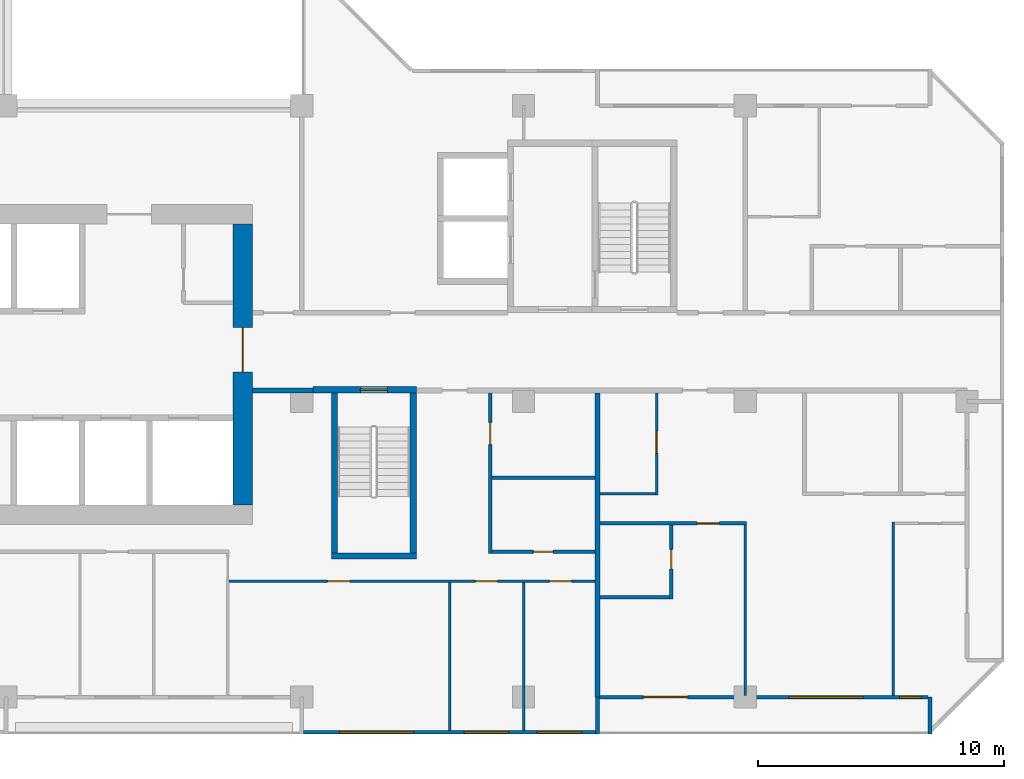
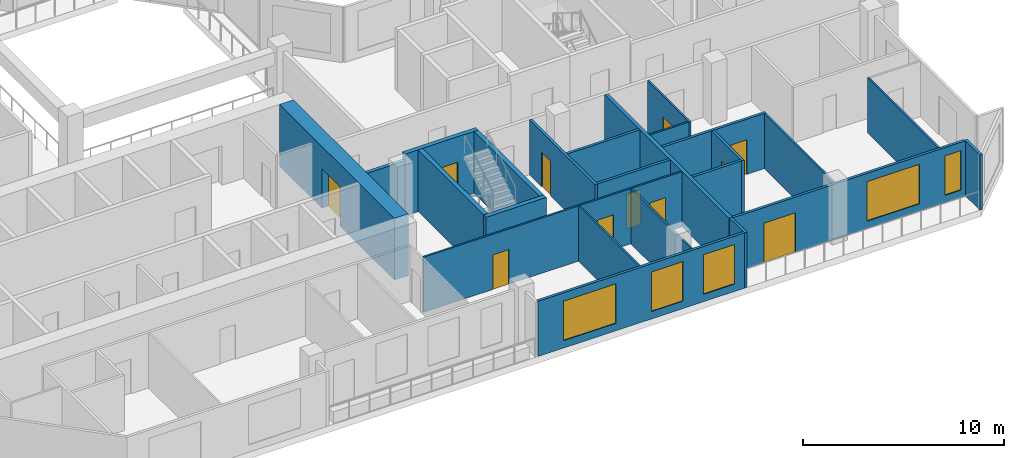
# One storey, part 6 of 15: 24 walls, 11 doors, 5 windows, 16 openings.
"""IFC4 building model written with IfcOpenShell, lengths in metres."""

from ifc_helpers import new_model, si_unit, direction, frame, frame_2d, origin, place, context, subcontext, project, spatial, rectangle, extrude, material, layer, layer_set, type_object, element, fill, save


model = new_model("IFC4")

# Units and contexts
model_context = context("Model", 3, precision=1e-05, world=origin(), true_north=direction((0.0, 1.0)))
body_context = subcontext(model_context, "Body", "Model", "MODEL_VIEW")
ifc_project = project(units=[si_unit("LENGTHUNIT", "METRE"), si_unit("AREAUNIT", "SQUARE_METRE"), si_unit("VOLUMEUNIT", "CUBIC_METRE"), si_unit("PLANEANGLEUNIT", "RADIAN"), si_unit("MASSUNIT", "GRAM", prefix="KILO")], contexts=[model_context])

# Site, building, storey
site_placement = place(None, origin())
site = spatial("IfcSite", under=ifc_project, at=site_placement, CompositionType="ELEMENT")
building_placement = place(site_placement, origin())
building = spatial("IfcBuilding", under=site, at=building_placement, Name="Chenar Terraces", CompositionType="ELEMENT")
storey_placement = place(building_placement, frame((0.0, 0.0, 191.14990234375)))
storey = spatial("IfcBuildingStorey", under=building, at=storey_placement, Name="L44", CompositionType="ELEMENT", Elevation=191.14990234375)

# Wall
ifc_material_1 = material(Name="Concrete C60/75", Category="concrete")
ifc_layer_1 = layer(ifc_material_1, 0.25)
ifc_layer_set_1 = layer_set([ifc_layer_1], Name="Concrete C60/75")
wall_type_1 = type_object("IfcWallType", Name="Core wall 250 Concrete C60/75", PredefinedType="SHEAR", material=ifc_layer_set_1)
wall_1_placement = place(storey_placement, frame((37.199951171875, 5.72509765625, 0.0), z_axis=(0.0, 0.0, 1.0), x_axis=(1.0, 0.0, 0.0)))
element("IfcWall", 1, at=wall_1_placement, inside=storey, type_object=wall_type_1, Name="Core wall ST2_S L44", PredefinedType="SHEAR", context=body_context, shape_type="SweptSolid", body=[
    extrude(rectangle(XDim=3.449951171875, YDim=0.25, at=frame_2d((1.72509765625, 0.0))), origin(), (0.0, 0.0, 1.0), 3.75),
])

# Wall, opening, door
wall_2_placement = place(storey_placement, frame((36.449951171875, 12.47509765625, 0.0), z_axis=(0.0, 0.0, 1.0), x_axis=(1.0, 0.0, 0.0)))
wall_2 = element("IfcWall", 2, at=wall_2_placement, inside=storey, type_object=wall_type_1, Name="Core wall ST2_N L44", PredefinedType="SHEAR", context=body_context, shape_type="SweptSolid", body=[
    extrude(rectangle(XDim=4.199951171875, YDim=0.25, at=frame_2d((2.10009765625, 0.0))), origin(), (0.0, 0.0, 1.0), 3.75),
])
opening_1_placement = place(wall_2_placement, frame((1.925048828125, 0.0, 0.0)))
opening_1 = element("IfcOpeningElement", 3, at=opening_1_placement, cuts=wall_2, Name="Opening DL44-C7", PredefinedType="OPENING", context=body_context, shape_type="SweptSolid", body=[
    extrude(rectangle(XDim=1.10009765625, YDim=2.199951171875, at=frame_2d((0.550048828125, 1.10009765625))), frame((0.0, 0.135009765625, 0.0), z_axis=(0.0, -1.0, 0.0), x_axis=(1.0, 0.0, 0.0)), (0.0, 0.0, 1.0), 0.27001953125),
])
ifc_material_2 = material(Name="Steel-framed fire-resisting door leaf", Category="steel")
door_type_1 = type_object("IfcDoorType", Name="Stair fire door FD60 1100 x 2200", OperationType="SINGLE_SWING_LEFT", PredefinedType="DOOR", material=ifc_material_2)
door_1_placement = place(opening_1_placement, frame((1.10009765625, 0.0, 0.0), z_axis=(0.0, 0.0, 1.0), x_axis=(-1.0, 0.0, 0.0)))
door_1 = element("IfcDoor", 4, at=door_1_placement, inside=storey, type_object=door_type_1, Name="Stair door DL44-C7", OperationType="SINGLE_SWING_RIGHT", OverallHeight=2.199951171875, OverallWidth=1.10009765625, PredefinedType="DOOR", context=body_context, shape_type="SweptSolid", body=[
    extrude(rectangle(XDim=1.10009765625, YDim=2.199951171875, at=frame_2d((0.550048828125, 1.10009765625))), frame((0.0, 0.02490234375, 0.0), z_axis=(0.0, -1.0, 0.0), x_axis=(1.0, 0.0, 0.0)), (0.0, 0.0, 1.0), 0.050048828125),
])
fill(opening_1, door_1)

# Walls
for number, where, z_axis, x_axis, name in (
    (5, (37.324951171875, 5.85009765625, 0.0), (0.0, 0.0, 1.0), (0.0, 1.0, 0.0), "Core wall ST2_W L44"),
    (6, (40.52490234375, 5.85009765625, 0.0), (0.0, 0.0, 1.0), (0.0, 1.0, 0.0), "Core wall ST2_E L44"),
):
    element("IfcWall", number, at=place(storey_placement, frame(where, z_axis=z_axis, x_axis=x_axis)), inside=storey, type_object=wall_type_1, Name=name, PredefinedType="SHEAR", context=body_context, shape_type="SweptSolid", body=[
        extrude(rectangle(XDim=6.5, YDim=0.25, at=frame_2d((3.25, 0.0))), origin(), (0.0, 0.0, 1.0), 3.75),
    ])

# Wall, opening, door
ifc_material_3 = material(Name="Concrete C60/75", Category="concrete")
ifc_layer_2 = layer(ifc_material_3, 0.800048828125)
ifc_layer_set_2 = layer_set([ifc_layer_2], Name="Concrete C60/75")
wall_type_2 = type_object("IfcWallType", Name="Core wall 800 Concrete C60/75", PredefinedType="SHEAR", material=ifc_layer_set_2)
wall_3_placement = place(storey_placement, frame((33.60009765625, 7.800048828125, 0.0), z_axis=(0.0, 0.0, 1.0), x_axis=(0.0, 1.0, 0.0)))
wall_3 = element("IfcWall", 7, at=wall_3_placement, inside=storey, type_object=wall_type_2, Name="Core wall E L44", PredefinedType="SHEAR", context=body_context, shape_type="SweptSolid", body=[
    extrude(rectangle(XDim=11.39990234375, YDim=0.800048828125, at=frame_2d((5.699951171875, 0.0))), origin(), (0.0, 0.0, 1.0), 3.75),
])
opening_2_placement = place(wall_3_placement, frame((5.39990234375, 0.0, 0.0)))
opening_2 = element("IfcOpeningElement", 8, at=opening_2_placement, cuts=wall_3, Name="Opening DL44-C1", PredefinedType="OPENING", context=body_context, shape_type="SweptSolid", body=[
    extrude(rectangle(XDim=1.800048828125, YDim=2.39990234375, at=frame_2d((0.89990234375, 1.199951171875))), frame((0.0, 0.409912109375, 0.0), z_axis=(0.0, -1.0, 0.0), x_axis=(1.0, 0.0, 0.0)), (0.0, 0.0, 1.0), 0.820068359375),
])
ifc_material_4 = material(Name="Steel-framed fire-resisting door leaf", Category="steel")
door_type_2 = type_object("IfcDoorType", Name="Core entrance double fire door FD60 1800 x 2400", OperationType="DOUBLE_DOOR_SINGLE_SWING", PredefinedType="DOOR", material=ifc_material_4)
door_2_placement = place(opening_2_placement, origin())
door_2 = element("IfcDoor", 9, at=door_2_placement, inside=storey, type_object=door_type_2, Name="Core door DL44-C1", OperationType="DOUBLE_DOOR_SINGLE_SWING", OverallHeight=2.39990234375, OverallWidth=1.800048828125, PredefinedType="DOOR", context=body_context, shape_type="SweptSolid", body=[
    extrude(rectangle(XDim=1.800048828125, YDim=2.39990234375, at=frame_2d((0.89990234375, 1.199951171875))), frame((0.0, 0.02490234375, 0.0), z_axis=(0.0, -1.0, 0.0), x_axis=(1.0, 0.0, 0.0)), (0.0, 0.0, 1.0), 0.050048828125),
])
fill(opening_2, door_2)

# Wall
ifc_material_5 = material(Name="Gypsum board on steel studs with fire boards", Category="steel")
ifc_layer_3 = layer(ifc_material_5, 0.199951171875)
ifc_layer_set_3 = layer_set([ifc_layer_3], Name="Gypsum board on steel studs with fire boards")
wall_type_3 = type_object("IfcWallType", Name="Corridor wall 200", PredefinedType="PARTITIONING", material=ifc_layer_set_3)
wall_4_placement = place(storey_placement, frame((34.0, 12.449951171875, 0.0), z_axis=(0.0, 0.0, 1.0), x_axis=(1.0, 0.0, 0.0)))
element("IfcWall", 10, at=wall_4_placement, inside=storey, type_object=wall_type_3, Name="Partition L44-059", PredefinedType="PARTITIONING", context=body_context, shape_type="SweptSolid", body=[
    extrude(rectangle(XDim=2.450927734375, YDim=0.199951171875, at=frame_2d((1.2255859375, 0.0))), origin(), (0.0, 0.0, 1.0), 3.35009765625),
])

# Wall, openings, windows
ifc_material_6 = material(Name="Aluminium framed glazing", Category="aluminium")
ifc_layer_4 = layer(ifc_material_6, 0.14990234375)
ifc_layer_set_4 = layer_set([ifc_layer_4], Name="Aluminium framed glazing")
wall_type_4 = type_object("IfcWallType", Name="Glazed flush facade wall 150", PredefinedType="SOLIDWALL", material=ifc_layer_set_4)
wall_5_placement = place(storey_placement, frame((36.074951171875, -1.425048828125, 0.0), z_axis=(0.0, 0.0, 1.0), x_axis=(1.0, 0.0, 0.0)))
wall_5 = element("IfcWall", 11, at=wall_5_placement, inside=storey, type_object=wall_type_4, Name="Glazed flush facade wall", PredefinedType="SOLIDWALL", context=body_context, shape_type="SweptSolid", body=[
    extrude(rectangle(XDim=11.85009765625, YDim=0.14990234375, at=frame_2d((5.925048828125, 0.0))), origin(), (0.0, 0.0, 1.0), 3.35009765625),
])
opening_3_placement = place(wall_5_placement, frame((1.46240234375, 0.0, 0.449951171875)))
opening_3 = element("IfcOpeningElement", 12, at=opening_3_placement, cuts=wall_5, Name="Opening W300x240", PredefinedType="OPENING", context=body_context, shape_type="SweptSolid", body=[
    extrude(rectangle(XDim=3.0, YDim=2.39990234375, at=frame_2d((1.5, 1.199951171875))), frame((0.0, 0.0849609375, 0.0), z_axis=(0.0, -1.0, 0.0), x_axis=(1.0, 0.0, 0.0)), (0.0, 0.0, 1.0), 0.169921875),
])
opening_4_placement = place(wall_5_placement, frame((6.52490234375, 0.0, 0.449951171875)))
opening_4 = element("IfcOpeningElement", 13, at=opening_4_placement, cuts=wall_5, Name="Opening W180x240", PredefinedType="OPENING", context=body_context, shape_type="SweptSolid", body=[
    extrude(rectangle(XDim=1.800048828125, YDim=2.39990234375, at=frame_2d((0.89990234375, 1.199951171875))), frame((0.0, 0.0849609375, 0.0), z_axis=(0.0, -1.0, 0.0), x_axis=(1.0, 0.0, 0.0)), (0.0, 0.0, 1.0), 0.169921875),
])
opening_5_placement = place(wall_5_placement, frame((9.487548828125, 0.0, 0.449951171875)))
opening_5 = element("IfcOpeningElement", 14, at=opening_5_placement, cuts=wall_5, Name="Opening W180x240", PredefinedType="OPENING", context=body_context, shape_type="SweptSolid", body=[
    extrude(rectangle(XDim=1.800048828125, YDim=2.39990234375, at=frame_2d((0.89990234375, 1.199951171875))), frame((0.0, 0.0849609375, 0.0), z_axis=(0.0, -1.0, 0.0), x_axis=(1.0, 0.0, 0.0)), (0.0, 0.0, 1.0), 0.169921875),
])
ifc_material_7 = material(Name="Low emissivity double glazing, aluminium frame", Category="aluminium")
window_type_1 = type_object("IfcWindowType", Name="Fixed light 1800 x 2400", PartitioningType="SINGLE_PANEL", PredefinedType="WINDOW", material=ifc_material_7)
window_1_placement = place(opening_4_placement, origin())
window_1 = element("IfcWindow", 15, at=window_1_placement, inside=storey, type_object=window_type_1, Name="Window", OverallHeight=2.39990234375, OverallWidth=1.800048828125, PartitioningType="SINGLE_PANEL", PredefinedType="WINDOW", context=body_context, shape_type="SweptSolid", body=[
    extrude(rectangle(XDim=1.800048828125, YDim=2.39990234375, at=frame_2d((0.89990234375, 1.199951171875))), frame((0.0, 0.030029296875, 0.0), z_axis=(0.0, -1.0, 0.0), x_axis=(1.0, 0.0, 0.0)), (0.0, 0.0, 1.0), 0.06005859375),
])
fill(opening_4, window_1)
window_2_placement = place(opening_5_placement, origin())
window_2 = element("IfcWindow", 16, at=window_2_placement, inside=storey, type_object=window_type_1, Name="Window", OverallHeight=2.39990234375, OverallWidth=1.800048828125, PartitioningType="SINGLE_PANEL", PredefinedType="WINDOW", context=body_context, shape_type="SweptSolid", body=[
    extrude(rectangle(XDim=1.800048828125, YDim=2.39990234375, at=frame_2d((0.89990234375, 1.199951171875))), frame((0.0, 0.030029296875, 0.0), z_axis=(0.0, -1.0, 0.0), x_axis=(1.0, 0.0, 0.0)), (0.0, 0.0, 1.0), 0.06005859375),
])
fill(opening_5, window_2)
ifc_material_8 = material(Name="Low emissivity double glazing, aluminium frame", Category="aluminium")
window_type_2 = type_object("IfcWindowType", Name="Fixed light 3000 x 2400", PartitioningType="SINGLE_PANEL", PredefinedType="WINDOW", material=ifc_material_8)
window_3_placement = place(opening_3_placement, origin())
window_3 = element("IfcWindow", 17, at=window_3_placement, inside=storey, type_object=window_type_2, Name="Window", OverallHeight=2.39990234375, OverallWidth=3.0, PartitioningType="SINGLE_PANEL", PredefinedType="WINDOW", context=body_context, shape_type="SweptSolid", body=[
    extrude(rectangle(XDim=3.0, YDim=2.39990234375, at=frame_2d((1.5, 1.199951171875))), frame((0.0, 0.030029296875, 0.0), z_axis=(0.0, -1.0, 0.0), x_axis=(1.0, 0.0, 0.0)), (0.0, 0.0, 1.0), 0.06005859375),
])
fill(opening_3, window_3)

# Wall, openings, windows, door
ifc_material_9 = material(Name="Aluminium framed glazing", Category="aluminium")
ifc_layer_5 = layer(ifc_material_9, 0.14990234375)
ifc_layer_set_5 = layer_set([ifc_layer_5], Name="Aluminium framed glazing")
wall_type_5 = type_object("IfcWallType", Name="Glazed loggia back wall 150", PredefinedType="SOLIDWALL", material=ifc_layer_set_5)
wall_6_placement = place(storey_placement, frame((48.074951171875, 0.0, 0.0), z_axis=(0.0, 0.0, 1.0), x_axis=(1.0, 0.0, 0.0)))
wall_6 = element("IfcWall", 18, at=wall_6_placement, inside=storey, type_object=wall_type_5, Name="Glazed loggia back wall", PredefinedType="SOLIDWALL", context=body_context, shape_type="SweptSolid", body=[
    extrude(rectangle(XDim=13.35009765625, YDim=0.14990234375, at=frame_2d((6.675048828125, 0.0))), origin(), (0.0, 0.0, 1.0), 3.35009765625),
])
opening_6_placement = place(wall_6_placement, frame((1.78759765625, 0.0, 0.0)))
opening_6 = element("IfcOpeningElement", 19, at=opening_6_placement, cuts=wall_6, Name="Opening DL44-G7", PredefinedType="OPENING", context=body_context, shape_type="SweptSolid", body=[
    extrude(rectangle(XDim=1.800048828125, YDim=2.39990234375, at=frame_2d((0.89990234375, 1.199951171875))), frame((0.0, 0.0849609375, 0.0), z_axis=(0.0, -1.0, 0.0), x_axis=(1.0, 0.0, 0.0)), (0.0, 0.0, 1.0), 0.169921875),
])
opening_7_placement = place(wall_6_placement, frame((7.699951171875, 0.0, 0.449951171875)))
opening_7 = element("IfcOpeningElement", 20, at=opening_7_placement, cuts=wall_6, Name="Opening W300x240", PredefinedType="OPENING", context=body_context, shape_type="SweptSolid", body=[
    extrude(rectangle(XDim=3.0, YDim=2.39990234375, at=frame_2d((1.5, 1.199951171875))), frame((0.0, 0.0849609375, 0.0), z_axis=(0.0, -1.0, 0.0), x_axis=(1.0, 0.0, 0.0)), (0.0, 0.0, 1.0), 0.169921875),
])
opening_8_placement = place(wall_6_placement, frame((12.1875, 0.0, 0.449951171875)))
opening_8 = element("IfcOpeningElement", 21, at=opening_8_placement, cuts=wall_6, Name="Opening W90x240", PredefinedType="OPENING", context=body_context, shape_type="SweptSolid", body=[
    extrude(rectangle(XDim=0.89990234375, YDim=2.39990234375, at=frame_2d((0.449951171875, 1.199951171875))), frame((0.0, 0.0849609375, 0.0), z_axis=(0.0, -1.0, 0.0), x_axis=(1.0, 0.0, 0.0)), (0.0, 0.0, 1.0), 0.169921875),
])
window_4_placement = place(opening_7_placement, origin())
window_4 = element("IfcWindow", 22, at=window_4_placement, inside=storey, type_object=window_type_2, Name="Window", OverallHeight=2.39990234375, OverallWidth=3.0, PartitioningType="SINGLE_PANEL", PredefinedType="WINDOW", context=body_context, shape_type="SweptSolid", body=[
    extrude(rectangle(XDim=3.0, YDim=2.39990234375, at=frame_2d((1.5, 1.199951171875))), frame((0.0, 0.030029296875, 0.0), z_axis=(0.0, -1.0, 0.0), x_axis=(1.0, 0.0, 0.0)), (0.0, 0.0, 1.0), 0.06005859375),
])
fill(opening_7, window_4)
ifc_material_10 = material(Name="Low emissivity double glazing, aluminium frame", Category="aluminium")
window_type_3 = type_object("IfcWindowType", Name="Fixed light 900 x 2400", PartitioningType="SINGLE_PANEL", PredefinedType="WINDOW", material=ifc_material_10)
window_5_placement = place(opening_8_placement, origin())
window_5 = element("IfcWindow", 23, at=window_5_placement, inside=storey, type_object=window_type_3, Name="Window", OverallHeight=2.39990234375, OverallWidth=0.89990234375, PartitioningType="SINGLE_PANEL", PredefinedType="WINDOW", context=body_context, shape_type="SweptSolid", body=[
    extrude(rectangle(XDim=0.89990234375, YDim=2.39990234375, at=frame_2d((0.449951171875, 1.199951171875))), frame((0.0, 0.030029296875, 0.0), z_axis=(0.0, -1.0, 0.0), x_axis=(1.0, 0.0, 0.0)), (0.0, 0.0, 1.0), 0.06005859375),
])
fill(opening_8, window_5)
ifc_material_11 = material(Name="Low emissivity double glazing, aluminium frame", Category="aluminium")
door_type_3 = type_object("IfcDoorType", Name="Loggia glazed double door 1800 x 2400", OperationType="DOUBLE_DOOR_SINGLE_SWING", PredefinedType="DOOR", material=ifc_material_11)
door_3_placement = place(opening_6_placement, frame((1.800048828125, 0.0, 0.0), z_axis=(0.0, 0.0, 1.0), x_axis=(-1.0, 0.0, 0.0)))
door_3 = element("IfcDoor", 24, at=door_3_placement, inside=storey, type_object=door_type_3, Name="Loggia glazed door", OperationType="DOUBLE_DOOR_SINGLE_SWING", OverallHeight=2.39990234375, OverallWidth=1.800048828125, PredefinedType="DOOR", context=body_context, shape_type="SweptSolid", body=[
    extrude(rectangle(XDim=1.800048828125, YDim=2.39990234375, at=frame_2d((0.89990234375, 1.199951171875))), frame((0.0, 0.02490234375, 0.0), z_axis=(0.0, -1.0, 0.0), x_axis=(1.0, 0.0, 0.0)), (0.0, 0.0, 1.0), 0.050048828125),
])
fill(opening_6, door_3)

# Wall, openings, doors
ifc_material_12 = material(Name="Gypsum board on steel studs", Category="steel")
ifc_layer_6 = layer(ifc_material_12, 0.10009765625)
ifc_layer_set_6 = layer_set([ifc_layer_6], Name="Gypsum board on steel studs")
wall_type_6 = type_object("IfcWallType", Name="Gypsum partition 100", PredefinedType="PARTITIONING", material=ifc_layer_set_6)
wall_7_placement = place(storey_placement, frame((33.050048828125, 4.699951171875, 0.0), z_axis=(0.0, 0.0, 1.0), x_axis=(1.0, 0.0, 0.0)))
wall_7 = element("IfcWall", 25, at=wall_7_placement, inside=storey, type_object=wall_type_6, Name="Partition L44-058", PredefinedType="PARTITIONING", context=body_context, shape_type="SweptSolid", body=[
    extrude(rectangle(XDim=14.849853515625, YDim=0.10009765625, at=frame_2d((7.4248046875, 0.0))), origin(), (0.0, 0.0, 1.0), 3.35009765625),
])
opening_9_placement = place(wall_7_placement, frame((10.0, 0.0, 0.0)))
opening_9 = element("IfcOpeningElement", 26, at=opening_9_placement, cuts=wall_7, Name="Opening DL44-47", PredefinedType="OPENING", context=body_context, shape_type="SweptSolid", body=[
    extrude(rectangle(XDim=0.89990234375, YDim=2.10009765625, at=frame_2d((0.449951171875, 1.050048828125))), frame((0.0, 0.06005859375, 0.0), z_axis=(0.0, -1.0, 0.0), x_axis=(1.0, 0.0, 0.0)), (0.0, 0.0, 1.0), 0.1201171875),
])
opening_10_placement = place(wall_7_placement, frame((13.0, 0.0, 0.0)))
opening_10 = element("IfcOpeningElement", 27, at=opening_10_placement, cuts=wall_7, Name="Opening DL44-48", PredefinedType="OPENING", context=body_context, shape_type="SweptSolid", body=[
    extrude(rectangle(XDim=0.89990234375, YDim=2.10009765625, at=frame_2d((0.449951171875, 1.050048828125))), frame((0.0, 0.06005859375, 0.0), z_axis=(0.0, -1.0, 0.0), x_axis=(1.0, 0.0, 0.0)), (0.0, 0.0, 1.0), 0.1201171875),
])
opening_11_placement = place(wall_7_placement, frame((4.0, 0.0, 0.0)))
opening_11 = element("IfcOpeningElement", 28, at=opening_11_placement, cuts=wall_7, Name="Opening DL44-56", PredefinedType="OPENING", context=body_context, shape_type="SweptSolid", body=[
    extrude(rectangle(XDim=0.89990234375, YDim=2.10009765625, at=frame_2d((0.449951171875, 1.050048828125))), frame((0.0, 0.06005859375, 0.0), z_axis=(0.0, -1.0, 0.0), x_axis=(1.0, 0.0, 0.0)), (0.0, 0.0, 1.0), 0.1201171875),
])
ifc_material_13 = material(Name="Veneered timber door leaf", Category="wood")
door_type_4 = type_object("IfcDoorType", Name="Door 900 x 2100", OperationType="SINGLE_SWING_LEFT", PredefinedType="DOOR", material=ifc_material_13)
door_4_placement = place(opening_9_placement, frame((0.89990234375, 0.0, 0.0), z_axis=(0.0, 0.0, 1.0), x_axis=(-1.0, 0.0, 0.0)))
door_4 = element("IfcDoor", 29, at=door_4_placement, inside=storey, type_object=door_type_4, Name="Door DL44-47", OperationType="SINGLE_SWING_LEFT", OverallHeight=2.10009765625, OverallWidth=0.89990234375, PredefinedType="DOOR", context=body_context, shape_type="SweptSolid", body=[
    extrude(rectangle(XDim=0.89990234375, YDim=2.10009765625, at=frame_2d((0.449951171875, 1.050048828125))), frame((0.0, 0.02490234375, 0.0), z_axis=(0.0, -1.0, 0.0), x_axis=(1.0, 0.0, 0.0)), (0.0, 0.0, 1.0), 0.050048828125),
])
fill(opening_9, door_4)
door_5_placement = place(opening_10_placement, frame((0.89990234375, 0.0, 0.0), z_axis=(0.0, 0.0, 1.0), x_axis=(-1.0, 0.0, 0.0)))
door_5 = element("IfcDoor", 30, at=door_5_placement, inside=storey, type_object=door_type_4, Name="Door DL44-48", OperationType="SINGLE_SWING_LEFT", OverallHeight=2.10009765625, OverallWidth=0.89990234375, PredefinedType="DOOR", context=body_context, shape_type="SweptSolid", body=[
    extrude(rectangle(XDim=0.89990234375, YDim=2.10009765625, at=frame_2d((0.449951171875, 1.050048828125))), frame((0.0, 0.02490234375, 0.0), z_axis=(0.0, -1.0, 0.0), x_axis=(1.0, 0.0, 0.0)), (0.0, 0.0, 1.0), 0.050048828125),
])
fill(opening_10, door_5)
door_6_placement = place(opening_11_placement, frame((0.89990234375, 0.0, 0.0), z_axis=(0.0, 0.0, 1.0), x_axis=(-1.0, 0.0, 0.0)))
door_6 = element("IfcDoor", 31, at=door_6_placement, inside=storey, type_object=door_type_4, Name="Door DL44-56", OperationType="SINGLE_SWING_LEFT", OverallHeight=2.10009765625, OverallWidth=0.89990234375, PredefinedType="DOOR", context=body_context, shape_type="SweptSolid", body=[
    extrude(rectangle(XDim=0.89990234375, YDim=2.10009765625, at=frame_2d((0.449951171875, 1.050048828125))), frame((0.0, 0.02490234375, 0.0), z_axis=(0.0, -1.0, 0.0), x_axis=(1.0, 0.0, 0.0)), (0.0, 0.0, 1.0), 0.050048828125),
])
fill(opening_11, door_6)

# Walls
wall_8_placement = place(storey_placement, frame((42.0, -1.35009765625, 0.0), z_axis=(0.0, 0.0, 1.0), x_axis=(0.0, 1.0, 0.0)))
element("IfcWall", 32, at=wall_8_placement, inside=storey, type_object=wall_type_6, Name="Partition L44-063", PredefinedType="PARTITIONING", context=body_context, shape_type="SweptSolid", body=[
    extrude(rectangle(XDim=6.0, YDim=0.10009765625, at=frame_2d((3.0, 0.0))), origin(), (0.0, 0.0, 1.0), 3.35009765625),
])
wall_9_placement = place(storey_placement, frame((45.0, -1.35107421875, 0.0), z_axis=(0.0, 0.0, 1.0), x_axis=(0.0, 1.0, 0.0)))
element("IfcWall", 33, at=wall_9_placement, inside=storey, type_object=wall_type_6, Name="Partition L44-067", PredefinedType="PARTITIONING", context=body_context, shape_type="SweptSolid", body=[
    extrude(rectangle(XDim=6.0009765625, YDim=0.10009765625, at=frame_2d((3.00048828125, 0.0))), origin(), (0.0, 0.0, 1.0), 3.35009765625),
])
wall_10_placement = place(storey_placement, frame((48.10009765625, 8.25, 0.0), z_axis=(0.0, 0.0, 1.0), x_axis=(1.0, 0.0, 0.0)))
element("IfcWall", 34, at=wall_10_placement, inside=storey, type_object=wall_type_6, Name="Partition L44-072", PredefinedType="PARTITIONING", context=body_context, shape_type="SweptSolid", body=[
    extrude(rectangle(XDim=2.25, YDim=0.10009765625, at=frame_2d((1.125, 0.0))), origin(), (0.0, 0.0, 1.0), 3.35009765625),
])

# Wall, opening, door
wall_11_placement = place(storey_placement, frame((50.39990234375, 8.199951171875, 0.0), z_axis=(0.0, 0.0, 1.0), x_axis=(0.0, 1.0, 0.0)))
wall_11 = element("IfcWall", 35, at=wall_11_placement, inside=storey, type_object=wall_type_6, Name="Partition L44-073", PredefinedType="PARTITIONING", context=body_context, shape_type="SweptSolid", body=[
    extrude(rectangle(XDim=4.150146484375, YDim=0.10009765625, at=frame_2d((2.0751953125, 0.0))), origin(), (0.0, 0.0, 1.0), 3.35009765625),
])
opening_12_placement = place(wall_11_placement, frame((1.699951171875, 0.0, 0.0)))
opening_12 = element("IfcOpeningElement", 36, at=opening_12_placement, cuts=wall_11, Name="Opening DL44-12", PredefinedType="OPENING", context=body_context, shape_type="SweptSolid", body=[
    extrude(rectangle(XDim=0.89990234375, YDim=2.10009765625, at=frame_2d((0.449951171875, 1.050048828125))), frame((0.0, 0.06005859375, 0.0), z_axis=(0.0, -1.0, 0.0), x_axis=(1.0, 0.0, 0.0)), (0.0, 0.0, 1.0), 0.1201171875),
])
door_7_placement = place(opening_12_placement, origin())
door_7 = element("IfcDoor", 37, at=door_7_placement, inside=storey, type_object=door_type_4, Name="Door DL44-12", OperationType="SINGLE_SWING_LEFT", OverallHeight=2.10009765625, OverallWidth=0.89990234375, PredefinedType="DOOR", context=body_context, shape_type="SweptSolid", body=[
    extrude(rectangle(XDim=0.89990234375, YDim=2.10009765625, at=frame_2d((0.449951171875, 1.050048828125))), frame((0.0, 0.02490234375, 0.0), z_axis=(0.0, -1.0, 0.0), x_axis=(1.0, 0.0, 0.0)), (0.0, 0.0, 1.0), 0.050048828125),
])
fill(opening_12, door_7)

# Walls
wall_12_placement = place(storey_placement, frame((54.0, 0.073974609375, 0.0), z_axis=(0.0, 0.0, 1.0), x_axis=(0.0, 1.0, 0.0)))
element("IfcWall", 38, at=wall_12_placement, inside=storey, type_object=wall_type_6, Name="Partition L44-076", PredefinedType="PARTITIONING", context=body_context, shape_type="SweptSolid", body=[
    extrude(rectangle(XDim=6.901123046875, YDim=0.10009765625, at=frame_2d((3.45068359375, 0.0))), origin(), (0.0, 0.0, 1.0), 3.35009765625),
])
wall_13_placement = place(storey_placement, frame((60.0, 0.073974609375, 0.0), z_axis=(0.0, 0.0, 1.0), x_axis=(0.0, 1.0, 0.0)))
element("IfcWall", 39, at=wall_13_placement, inside=storey, type_object=wall_type_6, Name="Partition L44-084", PredefinedType="PARTITIONING", context=body_context, shape_type="SweptSolid", body=[
    extrude(rectangle(XDim=7.026123046875, YDim=0.10009765625, at=frame_2d((3.51318359375, 0.0))), origin(), (0.0, 0.0, 1.0), 3.35009765625),
])
ifc_material_14 = material(Name="Terracotta cladding on insulated backing", Category="masonry")
ifc_layer_7 = layer(ifc_material_14, 0.14990234375)
ifc_layer_set_7 = layer_set([ifc_layer_7], Name="Terracotta cladding on insulated backing")
wall_type_7 = type_object("IfcWallType", Name="Loggia return wall 150", PredefinedType="SOLIDWALL", material=ifc_layer_set_7)
for number, where, z_axis, x_axis, name in (
    (40, (48.0, -1.5, 0.0), (0.0, 0.0, 1.0), (0.0, 1.0, 0.0), "Loggia return wall"),
    (41, (61.5, -1.5, 0.0), (0.0, 0.0, 1.0), (0.0, 1.0, 0.0), "Loggia return wall"),
):
    element("IfcWall", number, at=place(storey_placement, frame(where, z_axis=z_axis, x_axis=x_axis)), inside=storey, type_object=wall_type_7, Name=name, PredefinedType="SOLIDWALL", context=body_context, shape_type="SweptSolid", body=[
        extrude(rectangle(XDim=1.5, YDim=0.14990234375, at=frame_2d((0.75, 0.0))), origin(), (0.0, 0.0, 1.0), 3.35009765625),
    ])
ifc_material_15 = material(Name="Twin gypsum board on steel studs with mineral wool", Category="steel")
ifc_layer_8 = layer(ifc_material_15, 0.199951171875)
ifc_layer_set_8 = layer_set([ifc_layer_8], Name="Twin gypsum board on steel studs with mineral wool")
wall_type_8 = type_object("IfcWallType", Name="Unit demising wall 200", PredefinedType="PARTITIONING", material=ifc_layer_set_8)
wall_14_placement = place(storey_placement, frame((48.0, 0.0, 0.0), z_axis=(0.0, 0.0, 1.0), x_axis=(0.0, 1.0, 0.0)))
element("IfcWall", 42, at=wall_14_placement, inside=storey, type_object=wall_type_8, Name="Partition L44-069", PredefinedType="PARTITIONING", context=body_context, shape_type="SweptSolid", body=[
    extrude(rectangle(XDim=12.35009765625, YDim=0.199951171875, at=frame_2d((6.175048828125, 0.0))), origin(), (0.0, 0.0, 1.0), 3.35009765625),
])

# Wall, opening, door
ifc_material_16 = material(Name="Moisture-resistant gypsum board on steel studs", Category="steel")
ifc_layer_9 = layer(ifc_material_16, 0.14990234375)
ifc_layer_set_9 = layer_set([ifc_layer_9], Name="Moisture-resistant gypsum board on steel studs")
wall_type_9 = type_object("IfcWallType", Name="Wet-room partition 150", PredefinedType="PARTITIONING", material=ifc_layer_set_9)
wall_15_placement = place(storey_placement, frame((43.64990234375, 5.824951171875, 0.0), z_axis=(0.0, 0.0, 1.0), x_axis=(0.0, 1.0, 0.0)))
wall_15 = element("IfcWall", 43, at=wall_15_placement, inside=storey, type_object=wall_type_9, Name="Partition L44-064", PredefinedType="PARTITIONING", context=body_context, shape_type="SweptSolid", body=[
    extrude(rectangle(XDim=6.525146484375, YDim=0.14990234375, at=frame_2d((3.2626953125, 0.0))), origin(), (0.0, 0.0, 1.0), 3.35009765625),
])
opening_13_placement = place(wall_15_placement, frame((4.425048828125, 0.0, 0.0)))
opening_13 = element("IfcOpeningElement", 44, at=opening_13_placement, cuts=wall_15, Name="Opening DL44-54", PredefinedType="OPENING", context=body_context, shape_type="SweptSolid", body=[
    extrude(rectangle(XDim=0.89990234375, YDim=2.10009765625, at=frame_2d((0.449951171875, 1.050048828125))), frame((0.0, 0.0849609375, 0.0), z_axis=(0.0, -1.0, 0.0), x_axis=(1.0, 0.0, 0.0)), (0.0, 0.0, 1.0), 0.169921875),
])
door_8_placement = place(opening_13_placement, frame((0.89990234375, 0.0, 0.0), z_axis=(0.0, 0.0, 1.0), x_axis=(-1.0, 0.0, 0.0)))
door_8 = element("IfcDoor", 45, at=door_8_placement, inside=storey, type_object=door_type_4, Name="Door DL44-54", OperationType="SINGLE_SWING_LEFT", OverallHeight=2.10009765625, OverallWidth=0.89990234375, PredefinedType="DOOR", context=body_context, shape_type="SweptSolid", body=[
    extrude(rectangle(XDim=0.89990234375, YDim=2.10009765625, at=frame_2d((0.449951171875, 1.050048828125))), frame((0.0, 0.02490234375, 0.0), z_axis=(0.0, -1.0, 0.0), x_axis=(1.0, 0.0, 0.0)), (0.0, 0.0, 1.0), 0.050048828125),
])
fill(opening_13, door_8)

wall_16_placement = place(storey_placement, frame((43.72509765625, 5.89990234375, 0.0), z_axis=(0.0, 0.0, 1.0), x_axis=(1.0, 0.0, 0.0)))
wall_16 = element("IfcWall", 46, at=wall_16_placement, inside=storey, type_object=wall_type_9, Name="Partition L44-065", PredefinedType="PARTITIONING", context=body_context, shape_type="SweptSolid", body=[
    extrude(rectangle(XDim=4.1748046875, YDim=0.14990234375, at=frame_2d((2.08740234375, 0.0))), origin(), (0.0, 0.0, 1.0), 3.35009765625),
])
opening_14_placement = place(wall_16_placement, frame((1.675048828125, 0.0, 0.0)))
opening_14 = element("IfcOpeningElement", 47, at=opening_14_placement, cuts=wall_16, Name="Opening DL44-44", PredefinedType="OPENING", context=body_context, shape_type="SweptSolid", body=[
    extrude(rectangle(XDim=0.800048828125, YDim=2.10009765625, at=frame_2d((0.39990234375, 1.050048828125))), frame((0.0, 0.0849609375, 0.0), z_axis=(0.0, -1.0, 0.0), x_axis=(1.0, 0.0, 0.0)), (0.0, 0.0, 1.0), 0.169921875),
])
ifc_material_17 = material(Name="Veneered timber door leaf", Category="wood")
door_type_5 = type_object("IfcDoorType", Name="Door 800 x 2100", OperationType="SINGLE_SWING_LEFT", PredefinedType="DOOR", material=ifc_material_17)
door_9_placement = place(opening_14_placement, origin())
door_9 = element("IfcDoor", 48, at=door_9_placement, inside=storey, type_object=door_type_5, Name="Door DL44-44", OperationType="SINGLE_SWING_LEFT", OverallHeight=2.10009765625, OverallWidth=0.800048828125, PredefinedType="DOOR", context=body_context, shape_type="SweptSolid", body=[
    extrude(rectangle(XDim=0.800048828125, YDim=2.10009765625, at=frame_2d((0.39990234375, 1.050048828125))), frame((0.0, 0.02490234375, 0.0), z_axis=(0.0, -1.0, 0.0), x_axis=(1.0, 0.0, 0.0)), (0.0, 0.0, 1.0), 0.050048828125),
])
fill(opening_14, door_9)

# Walls
wall_17_placement = place(storey_placement, frame((43.72509765625, 8.89990234375, 0.0), z_axis=(0.0, 0.0, 1.0), x_axis=(1.0, 0.0, 0.0)))
element("IfcWall", 49, at=wall_17_placement, inside=storey, type_object=wall_type_9, Name="Partition L44-066", PredefinedType="PARTITIONING", context=body_context, shape_type="SweptSolid", body=[
    extrude(rectangle(XDim=4.1748046875, YDim=0.14990234375, at=frame_2d((2.08740234375, 0.0))), origin(), (0.0, 0.0, 1.0), 3.35009765625),
])
wall_18_placement = place(storey_placement, frame((48.10009765625, 4.050048828125, 0.0), z_axis=(0.0, 0.0, 1.0), x_axis=(1.0, 0.0, 0.0)))
element("IfcWall", 50, at=wall_18_placement, inside=storey, type_object=wall_type_9, Name="Partition L44-070", PredefinedType="PARTITIONING", context=body_context, shape_type="SweptSolid", body=[
    extrude(rectangle(XDim=2.824951171875, YDim=0.14990234375, at=frame_2d((1.41259765625, 0.0))), origin(), (0.0, 0.0, 1.0), 3.35009765625),
])

# Wall, opening, door
wall_19_placement = place(storey_placement, frame((48.10009765625, 7.050048828125, 0.0), z_axis=(0.0, 0.0, 1.0), x_axis=(1.0, 0.0, 0.0)))
wall_19 = element("IfcWall", 51, at=wall_19_placement, inside=storey, type_object=wall_type_9, Name="Partition L44-071", PredefinedType="PARTITIONING", context=body_context, shape_type="SweptSolid", body=[
    extrude(rectangle(XDim=5.949951171875, YDim=0.14990234375, at=frame_2d((2.97509765625, 0.0))), origin(), (0.0, 0.0, 1.0), 3.35009765625),
])
opening_15_placement = place(wall_19_placement, frame((3.949951171875, 0.0, 0.0)))
opening_15 = element("IfcOpeningElement", 52, at=opening_15_placement, cuts=wall_19, Name="Opening DL44-10", PredefinedType="OPENING", context=body_context, shape_type="SweptSolid", body=[
    extrude(rectangle(XDim=0.89990234375, YDim=2.10009765625, at=frame_2d((0.449951171875, 1.050048828125))), frame((0.0, 0.0849609375, 0.0), z_axis=(0.0, -1.0, 0.0), x_axis=(1.0, 0.0, 0.0)), (0.0, 0.0, 1.0), 0.169921875),
])
door_10_placement = place(opening_15_placement, frame((0.89990234375, 0.0, 0.0), z_axis=(0.0, 0.0, 1.0), x_axis=(-1.0, 0.0, 0.0)))
door_10 = element("IfcDoor", 53, at=door_10_placement, inside=storey, type_object=door_type_4, Name="Door DL44-10", OperationType="SINGLE_SWING_LEFT", OverallHeight=2.10009765625, OverallWidth=0.89990234375, PredefinedType="DOOR", context=body_context, shape_type="SweptSolid", body=[
    extrude(rectangle(XDim=0.89990234375, YDim=2.10009765625, at=frame_2d((0.449951171875, 1.050048828125))), frame((0.0, 0.02490234375, 0.0), z_axis=(0.0, -1.0, 0.0), x_axis=(1.0, 0.0, 0.0)), (0.0, 0.0, 1.0), 0.050048828125),
])
fill(opening_15, door_10)

wall_20_placement = place(storey_placement, frame((51.0, 3.97509765625, 0.0), z_axis=(0.0, 0.0, 1.0), x_axis=(0.0, 1.0, 0.0)))
wall_20 = element("IfcWall", 54, at=wall_20_placement, inside=storey, type_object=wall_type_9, Name="Partition L44-074", PredefinedType="PARTITIONING", context=body_context, shape_type="SweptSolid", body=[
    extrude(rectangle(XDim=3.0, YDim=0.14990234375, at=frame_2d((1.5, 0.0))), origin(), (0.0, 0.0, 1.0), 3.35009765625),
])
opening_16_placement = place(wall_20_placement, frame((1.22509765625, 0.0, 0.0)))
opening_16 = element("IfcOpeningElement", 55, at=opening_16_placement, cuts=wall_20, Name="Opening DL44-11", PredefinedType="OPENING", context=body_context, shape_type="SweptSolid", body=[
    extrude(rectangle(XDim=0.800048828125, YDim=2.10009765625, at=frame_2d((0.39990234375, 1.050048828125))), frame((0.0, 0.0849609375, 0.0), z_axis=(0.0, -1.0, 0.0), x_axis=(1.0, 0.0, 0.0)), (0.0, 0.0, 1.0), 0.169921875),
])
door_11_placement = place(opening_16_placement, origin())
door_11 = element("IfcDoor", 56, at=door_11_placement, inside=storey, type_object=door_type_5, Name="Door DL44-11", OperationType="SINGLE_SWING_RIGHT", OverallHeight=2.10009765625, OverallWidth=0.800048828125, PredefinedType="DOOR", context=body_context, shape_type="SweptSolid", body=[
    extrude(rectangle(XDim=0.800048828125, YDim=2.10009765625, at=frame_2d((0.39990234375, 1.050048828125))), frame((0.0, 0.02490234375, 0.0), z_axis=(0.0, -1.0, 0.0), x_axis=(1.0, 0.0, 0.0)), (0.0, 0.0, 1.0), 0.050048828125),
])
fill(opening_16, door_11)

save(model, "model.ifc")
